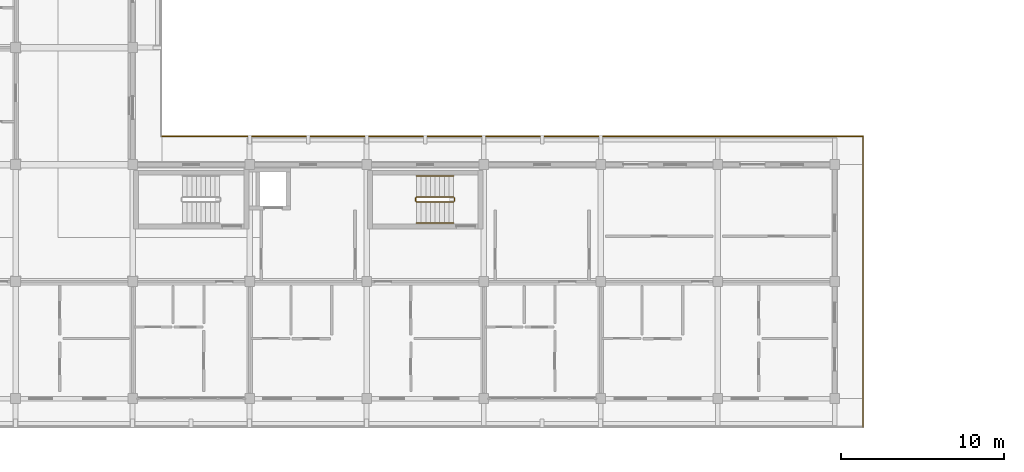
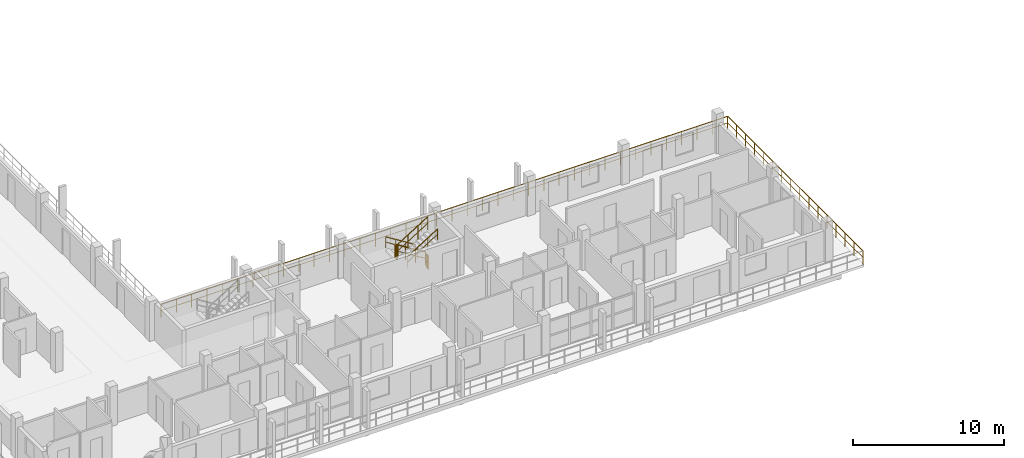
# One storey, part 64 of 76: 8 railings.
"""IFC4 building model written with IfcOpenShell, lengths in metres."""

from ifc_helpers import new_model, si_unit, direction, frame, origin, origin_2d, place, context, subcontext, project, spatial, rectangle, extrude, material, type_object, element, save


model = new_model("IFC4")

# Units and contexts
model_context = context("Model", 3, precision=1e-05, world=origin(), true_north=direction((0.0, 1.0)))
body_context = subcontext(model_context, "Body", "Model", "MODEL_VIEW")
ifc_project = project(units=[si_unit("LENGTHUNIT", "METRE"), si_unit("AREAUNIT", "SQUARE_METRE"), si_unit("VOLUMEUNIT", "CUBIC_METRE"), si_unit("PLANEANGLEUNIT", "RADIAN"), si_unit("MASSUNIT", "GRAM", prefix="KILO")], contexts=[model_context])

# Site, building, storey
site_placement = place(None, origin())
site = spatial("IfcSite", under=ifc_project, at=site_placement, CompositionType="ELEMENT")
building_placement = place(site_placement, origin())
building = spatial("IfcBuilding", under=site, at=building_placement, Name="Suanplinth Sawtooth Commons", CompositionType="ELEMENT")
storey_placement = place(building_placement, frame((0.0, 0.0, 12.199951171875)))
storey = spatial("IfcBuildingStorey", under=building, at=storey_placement, Name="L03", CompositionType="ELEMENT", Elevation=12.199951171875)

# Railings
ifc_material_1 = material(Name="Powder-coated galvanized steel", Category="steel")
railing_type_1 = type_object("IfcRailingType", Name="GR-01", PredefinedType="BALUSTRADE", material=ifc_material_1)
railing_1_placement = place(storey_placement, frame((16.139892578125, 16.139892578125, 0.0)))
element("IfcRailing", 1, at=railing_1_placement, inside=storey, type_object=railing_type_1, Name="L03 Block D Perimeter Balustrade 4", PredefinedType="BALUSTRADE", context=body_context, shape_type="SweptSolid", body=[
    extrude(rectangle(XDim=0.048095703125, YDim=0.048095703125, at=origin_2d()), frame((0.0, 0.0, 1.09619140625), z_axis=(1.0, 0.0, 0.0), x_axis=(0.0, 1.0, 0.0)), (0.0, 0.0, 1.0), 43.2001953125),
    extrude(rectangle(XDim=0.03369140625, YDim=0.03369140625, at=origin_2d()), frame((0.0, 0.0, 0.56005859375), z_axis=(1.0, 0.0, 0.0), x_axis=(0.0, 1.0, 0.0)), (0.0, 0.0, 1.0), 43.2001953125),
    extrude(rectangle(XDim=0.0419921875, YDim=0.0419921875, at=origin_2d()), origin(), (0.0, 0.0, 1.0), 1.072021484375),
    extrude(rectangle(XDim=0.0419921875, YDim=0.0419921875, at=origin_2d()), frame((1.16748046875, 0.0, 0.0)), (0.0, 0.0, 1.0), 1.072021484375),
    extrude(rectangle(XDim=0.0419921875, YDim=0.0419921875, at=origin_2d()), frame((2.335205078125, 0.0, 0.0)), (0.0, 0.0, 1.0), 1.072021484375),
    extrude(rectangle(XDim=0.0419921875, YDim=0.0419921875, at=origin_2d()), frame((3.502685546875, 0.0, 0.0)), (0.0, 0.0, 1.0), 1.072021484375),
    extrude(rectangle(XDim=0.0419921875, YDim=0.0419921875, at=origin_2d()), frame((4.67041015625, 0.0, 0.0)), (0.0, 0.0, 1.0), 1.072021484375),
    extrude(rectangle(XDim=0.0419921875, YDim=0.0419921875, at=origin_2d()), frame((5.837890625, 0.0, 0.0)), (0.0, 0.0, 1.0), 1.072021484375),
    extrude(rectangle(XDim=0.0419921875, YDim=0.0419921875, at=origin_2d()), frame((7.00537109375, 0.0, 0.0)), (0.0, 0.0, 1.0), 1.072021484375),
    extrude(rectangle(XDim=0.0419921875, YDim=0.0419921875, at=origin_2d()), frame((8.173095703125, 0.0, 0.0)), (0.0, 0.0, 1.0), 1.072021484375),
    extrude(rectangle(XDim=0.0419921875, YDim=0.0419921875, at=origin_2d()), frame((9.340576171875, 0.0, 0.0)), (0.0, 0.0, 1.0), 1.072021484375),
    extrude(rectangle(XDim=0.0419921875, YDim=0.0419921875, at=origin_2d()), frame((10.508056640625, 0.0, 0.0)), (0.0, 0.0, 1.0), 1.072021484375),
    extrude(rectangle(XDim=0.0419921875, YDim=0.0419921875, at=origin_2d()), frame((11.67578125, 0.0, 0.0)), (0.0, 0.0, 1.0), 1.072021484375),
    extrude(rectangle(XDim=0.0419921875, YDim=0.0419921875, at=origin_2d()), frame((12.84326171875, 0.0, 0.0)), (0.0, 0.0, 1.0), 1.072021484375),
    extrude(rectangle(XDim=0.0419921875, YDim=0.0419921875, at=origin_2d()), frame((14.010986328125, 0.0, 0.0)), (0.0, 0.0, 1.0), 1.072021484375),
    extrude(rectangle(XDim=0.0419921875, YDim=0.0419921875, at=origin_2d()), frame((15.178466796875, 0.0, 0.0)), (0.0, 0.0, 1.0), 1.072021484375),
    extrude(rectangle(XDim=0.0419921875, YDim=0.0419921875, at=origin_2d()), frame((16.345947265625, 0.0, 0.0)), (0.0, 0.0, 1.0), 1.072021484375),
    extrude(rectangle(XDim=0.0419921875, YDim=0.0419921875, at=origin_2d()), frame((17.513671875, 0.0, 0.0)), (0.0, 0.0, 1.0), 1.072021484375),
    extrude(rectangle(XDim=0.0419921875, YDim=0.0419921875, at=origin_2d()), frame((18.68115234375, 0.0, 0.0)), (0.0, 0.0, 1.0), 1.072021484375),
    extrude(rectangle(XDim=0.0419921875, YDim=0.0419921875, at=origin_2d()), frame((19.8486328125, 0.0, 0.0)), (0.0, 0.0, 1.0), 1.072021484375),
    extrude(rectangle(XDim=0.0419921875, YDim=0.0419921875, at=origin_2d()), frame((21.016357421875, 0.0, 0.0)), (0.0, 0.0, 1.0), 1.072021484375),
    extrude(rectangle(XDim=0.0419921875, YDim=0.0419921875, at=origin_2d()), frame((22.183837890625, 0.0, 0.0)), (0.0, 0.0, 1.0), 1.072021484375),
    extrude(rectangle(XDim=0.0419921875, YDim=0.0419921875, at=origin_2d()), frame((23.3515625, 0.0, 0.0)), (0.0, 0.0, 1.0), 1.072021484375),
    extrude(rectangle(XDim=0.0419921875, YDim=0.0419921875, at=origin_2d()), frame((24.51904296875, 0.0, 0.0)), (0.0, 0.0, 1.0), 1.072021484375),
    extrude(rectangle(XDim=0.0419921875, YDim=0.0419921875, at=origin_2d()), frame((25.6865234375, 0.0, 0.0)), (0.0, 0.0, 1.0), 1.072021484375),
    extrude(rectangle(XDim=0.0419921875, YDim=0.0419921875, at=origin_2d()), frame((26.854248046875, 0.0, 0.0)), (0.0, 0.0, 1.0), 1.072021484375),
    extrude(rectangle(XDim=0.0419921875, YDim=0.0419921875, at=origin_2d()), frame((28.021728515625, 0.0, 0.0)), (0.0, 0.0, 1.0), 1.072021484375),
    extrude(rectangle(XDim=0.0419921875, YDim=0.0419921875, at=origin_2d()), frame((29.189208984375, 0.0, 0.0)), (0.0, 0.0, 1.0), 1.072021484375),
    extrude(rectangle(XDim=0.0419921875, YDim=0.0419921875, at=origin_2d()), frame((30.35693359375, 0.0, 0.0)), (0.0, 0.0, 1.0), 1.072021484375),
    extrude(rectangle(XDim=0.0419921875, YDim=0.0419921875, at=origin_2d()), frame((31.5244140625, 0.0, 0.0)), (0.0, 0.0, 1.0), 1.072021484375),
    extrude(rectangle(XDim=0.0419921875, YDim=0.0419921875, at=origin_2d()), frame((32.692138671875, 0.0, 0.0)), (0.0, 0.0, 1.0), 1.072021484375),
    extrude(rectangle(XDim=0.0419921875, YDim=0.0419921875, at=origin_2d()), frame((33.859619140625, 0.0, 0.0)), (0.0, 0.0, 1.0), 1.072021484375),
    extrude(rectangle(XDim=0.0419921875, YDim=0.0419921875, at=origin_2d()), frame((35.027099609375, 0.0, 0.0)), (0.0, 0.0, 1.0), 1.072021484375),
    extrude(rectangle(XDim=0.0419921875, YDim=0.0419921875, at=origin_2d()), frame((36.19482421875, 0.0, 0.0)), (0.0, 0.0, 1.0), 1.072021484375),
    extrude(rectangle(XDim=0.0419921875, YDim=0.0419921875, at=origin_2d()), frame((37.3623046875, 0.0, 0.0)), (0.0, 0.0, 1.0), 1.072021484375),
    extrude(rectangle(XDim=0.0419921875, YDim=0.0419921875, at=origin_2d()), frame((38.52978515625, 0.0, 0.0)), (0.0, 0.0, 1.0), 1.072021484375),
    extrude(rectangle(XDim=0.0419921875, YDim=0.0419921875, at=origin_2d()), frame((39.697509765625, 0.0, 0.0)), (0.0, 0.0, 1.0), 1.072021484375),
    extrude(rectangle(XDim=0.0419921875, YDim=0.0419921875, at=origin_2d()), frame((40.864990234375, 0.0, 0.0)), (0.0, 0.0, 1.0), 1.072021484375),
    extrude(rectangle(XDim=0.0419921875, YDim=0.0419921875, at=origin_2d()), frame((42.03271484375, 0.0, 0.0)), (0.0, 0.0, 1.0), 1.072021484375),
    extrude(rectangle(XDim=0.0419921875, YDim=0.0419921875, at=origin_2d()), frame((43.2001953125, 0.0, 0.0)), (0.0, 0.0, 1.0), 1.072021484375),
])
railing_2_placement = place(storey_placement, frame((59.340087890625, 16.139892578125, 0.0)))
element("IfcRailing", 2, at=railing_2_placement, inside=storey, type_object=railing_type_1, Name="L03 Block D Perimeter Balustrade 5", PredefinedType="BALUSTRADE", context=body_context, shape_type="SweptSolid", body=[
    extrude(rectangle(XDim=0.048095703125, YDim=0.048095703125, at=origin_2d()), frame((0.0, 0.0, 1.09619140625), z_axis=(0.0, -1.0, 0.0), x_axis=(1.0, 0.0, 0.0)), (0.0, 0.0, 1.0), 17.8798828125),
    extrude(rectangle(XDim=0.03369140625, YDim=0.03369140625, at=origin_2d()), frame((0.0, 0.0, 0.56005859375), z_axis=(0.0, -1.0, 0.0), x_axis=(1.0, 0.0, 0.0)), (0.0, 0.0, 1.0), 17.8798828125),
    extrude(rectangle(XDim=0.0419921875, YDim=0.0419921875, at=origin_2d()), origin(), (0.0, 0.0, 1.0), 1.072021484375),
    extrude(rectangle(XDim=0.0419921875, YDim=0.0419921875, at=origin_2d()), frame((0.0, -1.19189453125, 0.0)), (0.0, 0.0, 1.0), 1.072021484375),
    extrude(rectangle(XDim=0.0419921875, YDim=0.0419921875, at=origin_2d()), frame((0.0, -2.384033203125, 0.0)), (0.0, 0.0, 1.0), 1.072021484375),
    extrude(rectangle(XDim=0.0419921875, YDim=0.0419921875, at=origin_2d()), frame((0.0, -3.575927734375, 0.0)), (0.0, 0.0, 1.0), 1.072021484375),
    extrude(rectangle(XDim=0.0419921875, YDim=0.0419921875, at=origin_2d()), frame((0.0, -4.76806640625, 0.0)), (0.0, 0.0, 1.0), 1.072021484375),
    extrude(rectangle(XDim=0.0419921875, YDim=0.0419921875, at=origin_2d()), frame((0.0, -5.9599609375, 0.0)), (0.0, 0.0, 1.0), 1.072021484375),
    extrude(rectangle(XDim=0.0419921875, YDim=0.0419921875, at=origin_2d()), frame((0.0, -7.15185546875, 0.0)), (0.0, 0.0, 1.0), 1.072021484375),
    extrude(rectangle(XDim=0.0419921875, YDim=0.0419921875, at=origin_2d()), frame((0.0, -8.343994140625, 0.0)), (0.0, 0.0, 1.0), 1.072021484375),
    extrude(rectangle(XDim=0.0419921875, YDim=0.0419921875, at=origin_2d()), frame((0.0, -9.535888671875, 0.0)), (0.0, 0.0, 1.0), 1.072021484375),
    extrude(rectangle(XDim=0.0419921875, YDim=0.0419921875, at=origin_2d()), frame((0.0, -10.72802734375, 0.0)), (0.0, 0.0, 1.0), 1.072021484375),
    extrude(rectangle(XDim=0.0419921875, YDim=0.0419921875, at=origin_2d()), frame((0.0, -11.919921875, 0.0)), (0.0, 0.0, 1.0), 1.072021484375),
    extrude(rectangle(XDim=0.0419921875, YDim=0.0419921875, at=origin_2d()), frame((0.0, -13.11181640625, 0.0)), (0.0, 0.0, 1.0), 1.072021484375),
    extrude(rectangle(XDim=0.0419921875, YDim=0.0419921875, at=origin_2d()), frame((0.0, -14.303955078125, 0.0)), (0.0, 0.0, 1.0), 1.072021484375),
    extrude(rectangle(XDim=0.0419921875, YDim=0.0419921875, at=origin_2d()), frame((0.0, -15.495849609375, 0.0)), (0.0, 0.0, 1.0), 1.072021484375),
    extrude(rectangle(XDim=0.0419921875, YDim=0.0419921875, at=origin_2d()), frame((0.0, -16.68798828125, 0.0)), (0.0, 0.0, 1.0), 1.072021484375),
    extrude(rectangle(XDim=0.0419921875, YDim=0.0419921875, at=origin_2d()), frame((0.0, -17.8798828125, 0.0)), (0.0, 0.0, 1.0), 1.072021484375),
])
ifc_material_2 = material(Name="Stainless steel Grade 304", Category="steel")
railing_type_2 = type_object("IfcRailingType", Name="GR-04", PredefinedType="GUARDRAIL", material=ifc_material_2)
railing_3_placement = place(storey_placement, frame((34.14990234375, 12.39990234375, 0.177734375)))
element("IfcRailing", 3, at=railing_3_placement, inside=storey, type_object=railing_type_2, Name="L03 ST-W2 Guard 1", PredefinedType="GUARDRAIL", context=body_context, shape_type="SweptSolid", body=[
    extrude(rectangle(XDim=0.048095703125, YDim=0.048095703125, at=origin_2d()), frame((0.0, 0.0, 1.076171875), z_axis=(-0.848416591296, 0.0, 0.529329091978), x_axis=(0.0, -1.0, 0.0)), (0.0, 0.0, 1.0), 2.68701171875),
    extrude(rectangle(XDim=0.03369140625, YDim=0.03369140625, at=origin_2d()), frame((0.0, 0.0, 0.550048828125), z_axis=(-0.848416591296, 0.0, 0.529329091978), x_axis=(0.0, -1.0, 0.0)), (0.0, 0.0, 1.0), 2.68701171875),
    extrude(rectangle(XDim=0.0419921875, YDim=0.0419921875, at=origin_2d()), origin(), (0.0, 0.0, 1.0), 1.052001953125),
    extrude(rectangle(XDim=0.0419921875, YDim=0.0419921875, at=origin_2d()), frame((-0.760009765625, 0.0, 0.47412109375)), (0.0, 0.0, 1.0), 1.052001953125),
    extrude(rectangle(XDim=0.0419921875, YDim=0.0419921875, at=origin_2d()), frame((-1.519775390625, 0.0, 0.9482421875)), (0.0, 0.0, 1.0), 1.052001953125),
    extrude(rectangle(XDim=0.0419921875, YDim=0.0419921875, at=origin_2d()), frame((-2.27978515625, 0.0, 1.42236328125)), (0.0, 0.0, 1.0), 1.052001953125),
])
railing_4_placement = place(storey_placement, frame((31.820068359375, 12.35009765625, 1.60009765625)))
element("IfcRailing", 4, at=railing_4_placement, inside=storey, type_object=railing_type_2, Name="L03 ST-W2 Guard 2", PredefinedType="GUARDRAIL", context=body_context, shape_type="SweptSolid", body=[
    extrude(rectangle(XDim=0.048095703125, YDim=0.048095703125, at=origin_2d()), frame((0.0, 0.0, 1.076171875), z_axis=(0.0, -1.0, 0.0), x_axis=(1.0, 0.0, 0.0)), (0.0, 0.0, 1.0), 0.2001953125),
    extrude(rectangle(XDim=0.03369140625, YDim=0.03369140625, at=origin_2d()), frame((0.0, 0.0, 0.550048828125), z_axis=(0.0, -1.0, 0.0), x_axis=(1.0, 0.0, 0.0)), (0.0, 0.0, 1.0), 0.2001953125),
    extrude(rectangle(XDim=0.0419921875, YDim=0.0419921875, at=origin_2d()), origin(), (0.0, 0.0, 1.0), 1.052001953125),
    extrude(rectangle(XDim=0.0419921875, YDim=0.0419921875, at=origin_2d()), frame((0.0, -0.2001953125, 0.0)), (0.0, 0.0, 1.0), 1.052001953125),
])
railing_5_placement = place(storey_placement, frame((31.8701171875, 12.10009765625, 1.77783203125)))
element("IfcRailing", 5, at=railing_5_placement, inside=storey, type_object=railing_type_2, Name="L03 ST-W2 Guard 3", PredefinedType="GUARDRAIL", context=body_context, shape_type="SweptSolid", body=[
    extrude(rectangle(XDim=0.048095703125, YDim=0.048095703125, at=origin_2d()), frame((0.0, 0.0, 1.076171875), z_axis=(0.848457393559, 0.0, 0.529263687886), x_axis=(0.0, 1.0, 0.0)), (0.0, 0.0, 1.0), 2.68701171875),
    extrude(rectangle(XDim=0.03369140625, YDim=0.03369140625, at=origin_2d()), frame((0.0, 0.0, 0.550048828125), z_axis=(0.848457393559, 0.0, 0.529263687886), x_axis=(0.0, 1.0, 0.0)), (0.0, 0.0, 1.0), 2.68701171875),
    extrude(rectangle(XDim=0.0419921875, YDim=0.0419921875, at=origin_2d()), origin(), (0.0, 0.0, 1.0), 1.052001953125),
    extrude(rectangle(XDim=0.0419921875, YDim=0.0419921875, at=origin_2d()), frame((0.760009765625, 0.0, 0.47412109375)), (0.0, 0.0, 1.0), 1.052001953125),
    extrude(rectangle(XDim=0.0419921875, YDim=0.0419921875, at=origin_2d()), frame((1.519775390625, 0.0, 0.947998046875)), (0.0, 0.0, 1.0), 1.052001953125),
    extrude(rectangle(XDim=0.0419921875, YDim=0.0419921875, at=origin_2d()), frame((2.27978515625, 0.0, 1.422119140625)), (0.0, 0.0, 1.0), 1.052001953125),
])
railing_6_placement = place(storey_placement, frame((34.199951171875, 12.35009765625, 0.0)))
element("IfcRailing", 6, at=railing_6_placement, inside=storey, type_object=railing_type_2, Name="L03 ST-W2 Guard 4", PredefinedType="GUARDRAIL", context=body_context, shape_type="SweptSolid", body=[
    extrude(rectangle(XDim=0.048095703125, YDim=0.048095703125, at=origin_2d()), frame((0.0, 0.0, 1.076171875), z_axis=(0.0, -1.0, 0.0), x_axis=(1.0, 0.0, 0.0)), (0.0, 0.0, 1.0), 0.2001953125),
    extrude(rectangle(XDim=0.03369140625, YDim=0.03369140625, at=origin_2d()), frame((0.0, 0.0, 0.550048828125), z_axis=(0.0, -1.0, 0.0), x_axis=(1.0, 0.0, 0.0)), (0.0, 0.0, 1.0), 0.2001953125),
    extrude(rectangle(XDim=0.0419921875, YDim=0.0419921875, at=origin_2d()), origin(), (0.0, 0.0, 1.0), 1.052001953125),
    extrude(rectangle(XDim=0.0419921875, YDim=0.0419921875, at=origin_2d()), frame((0.0, -0.2001953125, 0.0)), (0.0, 0.0, 1.0), 1.052001953125),
])
railing_type_3 = type_object("IfcRailingType", Name="HR-01", PredefinedType="HANDRAIL", material=ifc_material_2)
railing_7_placement = place(storey_placement, frame((34.14990234375, 13.699951171875, 0.177734375)))
element("IfcRailing", 7, at=railing_7_placement, inside=storey, type_object=railing_type_3, Name="L03 ST-W2 Handrail 1", PredefinedType="HANDRAIL", context=body_context, shape_type="SweptSolid", body=[
    extrude(rectangle(XDim=0.048095703125, YDim=0.048095703125, at=origin_2d()), frame((0.0, 0.0, 0.8759765625), z_axis=(-0.848416591296, 0.0, 0.529329091978), x_axis=(0.0, -1.0, 0.0)), (0.0, 0.0, 1.0), 2.68701171875),
    extrude(rectangle(XDim=0.03369140625, YDim=0.03369140625, at=origin_2d()), frame((0.0, 0.0, 0.449951171875), z_axis=(-0.848416591296, 0.0, 0.529329091978), x_axis=(0.0, -1.0, 0.0)), (0.0, 0.0, 1.0), 2.68701171875),
    extrude(rectangle(XDim=0.0419921875, YDim=0.0419921875, at=origin_2d()), origin(), (0.0, 0.0, 1.0), 0.851806640625),
    extrude(rectangle(XDim=0.0419921875, YDim=0.0419921875, at=origin_2d()), frame((-0.760009765625, 0.0, 0.47412109375)), (0.0, 0.0, 1.0), 0.851806640625),
    extrude(rectangle(XDim=0.0419921875, YDim=0.0419921875, at=origin_2d()), frame((-1.519775390625, 0.0, 0.9482421875)), (0.0, 0.0, 1.0), 0.851806640625),
    extrude(rectangle(XDim=0.0419921875, YDim=0.0419921875, at=origin_2d()), frame((-2.27978515625, 0.0, 1.42236328125)), (0.0, 0.0, 1.0), 0.851806640625),
])
railing_8_placement = place(storey_placement, frame((31.8701171875, 10.800048828125, 1.77783203125)))
element("IfcRailing", 8, at=railing_8_placement, inside=storey, type_object=railing_type_3, Name="L03 ST-W2 Handrail 2", PredefinedType="HANDRAIL", context=body_context, shape_type="SweptSolid", body=[
    extrude(rectangle(XDim=0.048095703125, YDim=0.048095703125, at=origin_2d()), frame((0.0, 0.0, 0.8759765625), z_axis=(0.848457393559, 0.0, 0.529263687886), x_axis=(0.0, 1.0, 0.0)), (0.0, 0.0, 1.0), 2.68701171875),
    extrude(rectangle(XDim=0.03369140625, YDim=0.03369140625, at=origin_2d()), frame((0.0, 0.0, 0.449951171875), z_axis=(0.848457393559, 0.0, 0.529263687886), x_axis=(0.0, 1.0, 0.0)), (0.0, 0.0, 1.0), 2.68701171875),
    extrude(rectangle(XDim=0.0419921875, YDim=0.0419921875, at=origin_2d()), origin(), (0.0, 0.0, 1.0), 0.851806640625),
    extrude(rectangle(XDim=0.0419921875, YDim=0.0419921875, at=origin_2d()), frame((0.760009765625, 0.0, 0.47412109375)), (0.0, 0.0, 1.0), 0.851806640625),
    extrude(rectangle(XDim=0.0419921875, YDim=0.0419921875, at=origin_2d()), frame((1.519775390625, 0.0, 0.947998046875)), (0.0, 0.0, 1.0), 0.851806640625),
    extrude(rectangle(XDim=0.0419921875, YDim=0.0419921875, at=origin_2d()), frame((2.27978515625, 0.0, 1.422119140625)), (0.0, 0.0, 1.0), 0.851806640625),
])

save(model, "model.ifc")
